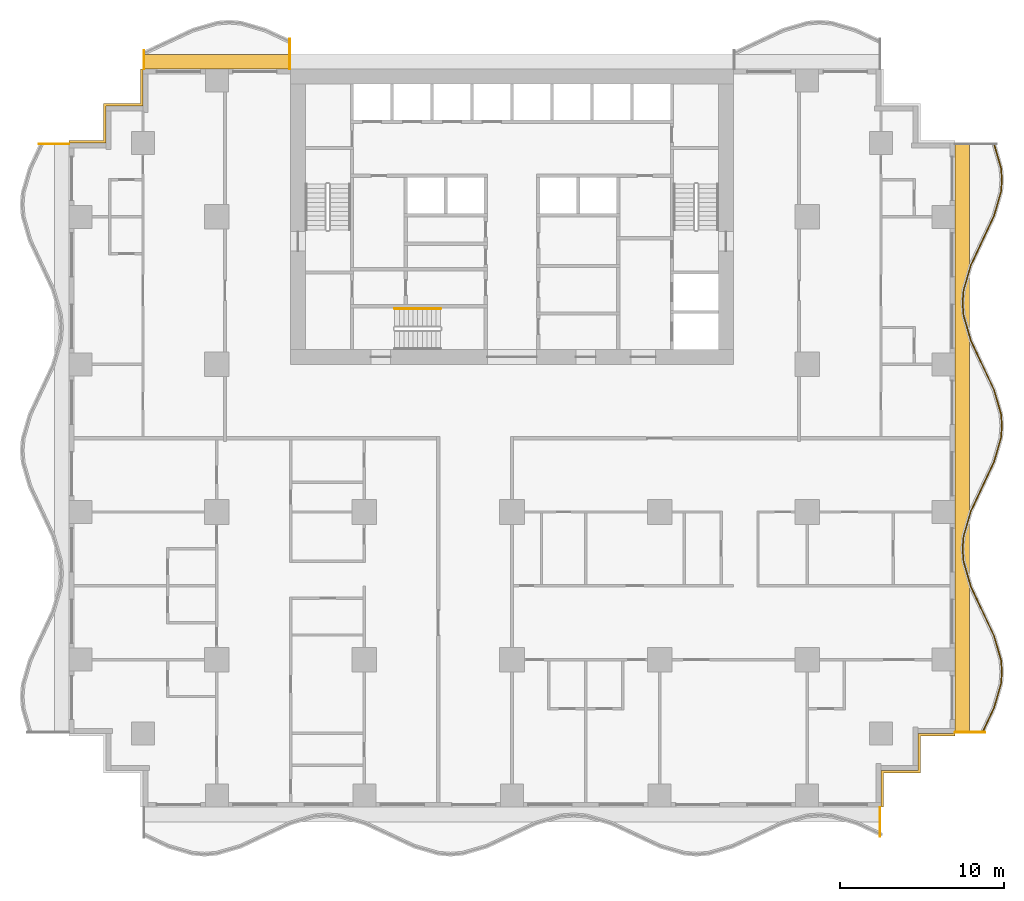
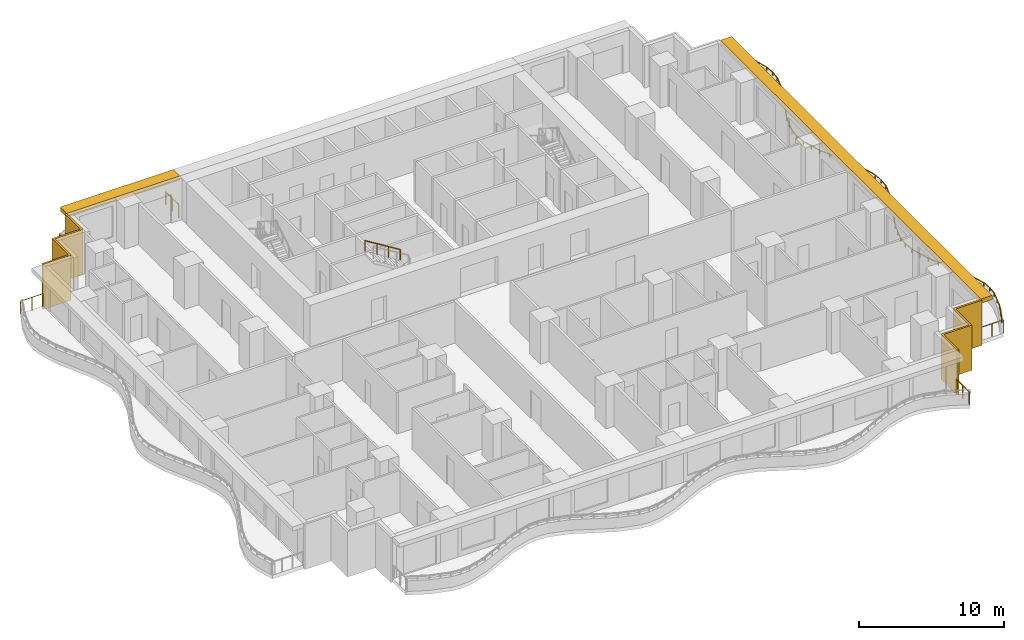
# One storey, part 11 of 14: 7 railings, 4 shading devices.
"""IFC4 building model written with IfcOpenShell, lengths in metres."""

from ifc_helpers import new_model, si_unit, direction, frame, origin, origin_2d, place, context, subcontext, project, spatial, polyline, rectangle, circle, outline, extrude, material, layer, layer_set, type_object, element, save


model = new_model("IFC4")

# Units and contexts
model_context = context("Model", 3, precision=1e-05, world=origin(), true_north=direction((0.0, 1.0)))
body_context = subcontext(model_context, "Body", "Model", "MODEL_VIEW")
ifc_project = project(units=[si_unit("LENGTHUNIT", "METRE"), si_unit("AREAUNIT", "SQUARE_METRE"), si_unit("VOLUMEUNIT", "CUBIC_METRE"), si_unit("PLANEANGLEUNIT", "RADIAN"), si_unit("MASSUNIT", "GRAM", prefix="KILO")], contexts=[model_context])

# Site, building, storey
site_placement = place(None, origin())
site = spatial("IfcSite", under=ifc_project, at=site_placement, CompositionType="ELEMENT")
building_placement = place(site_placement, origin())
building = spatial("IfcBuilding", under=site, at=building_placement, Name="Orbiselva Terraces", CompositionType="ELEMENT")
storey_placement = place(building_placement, frame((0.0, 0.0, 45.4)))
storey = spatial("IfcBuildingStorey", under=building, at=storey_placement, Name="L11", CompositionType="ELEMENT", Elevation=45.4)

# Railings
ifc_material_1 = material(Name="Stainless steel", Category="steel")
railing_type_1 = type_object("IfcRailingType", Name="CORE-HANDRAIL-900", PredefinedType="HANDRAIL", material=ifc_material_1)
railing_1_placement = place(storey_placement, frame((-4.35, 7.9, 2.072727)))
element("IfcRailing", 1, at=railing_1_placement, inside=storey, type_object=railing_type_1, Name="L11 S3 stair handrail 2", PredefinedType="HANDRAIL", context=body_context, shape_type="SweptSolid", body=[
    extrude(circle(Radius=0.024, at=origin_2d()), frame((0.0, 0.0, 0.876), z_axis=(-0.851088519012, 0.0, 0.52502222125), x_axis=(0.0, -1.0, 0.0)), (0.0, 0.0, 1.0), 3.289905),
    extrude(circle(Radius=0.021, at=origin_2d()), origin(), (0.0, 0.0, 1.0), 0.852),
    extrude(circle(Radius=0.021, at=origin_2d()), frame((-0.933333, 0.0, 0.575758)), (0.0, 0.0, 1.0), 0.852),
    extrude(circle(Radius=0.021, at=origin_2d()), frame((-1.866667, 0.0, 1.151515)), (0.0, 0.0, 1.0), 0.852),
    extrude(circle(Radius=0.021, at=origin_2d()), frame((-2.8, 0.0, 1.727273)), (0.0, 0.0, 1.0), 0.852),
])
ifc_material_2 = material(Name="Bonded two-ply safety glass balustrade, stainless steel posts", Category="steel")
railing_type_2 = type_object("IfcRailingType", Name="ENV-BALUSTRADE-1200", PredefinedType="BALUSTRADE", material=ifc_material_2)
railing_2_placement = place(storey_placement, frame((28.686882, -17.946809, 0.9)))
element("IfcRailing", 2, at=railing_2_placement, inside=storey, type_object=railing_type_2, Name="Balcony balustrade L11 E", PredefinedType="BALUSTRADE", context=body_context, shape_type="SweptSolid", body=[
    extrude(outline(polyline([(0.028868, 0.0), (0.014434, 0.025), (-0.014434, 0.025), (-0.028868, 0.0), (-0.014434, -0.025), (0.014434, -0.025), (0.028868, 0.0)])), frame((0.0, 0.0, 0.275), z_axis=(0.425529912322, 0.904944359461, 0.0), x_axis=(-0.904944359461, 0.425529912322, 0.0)), (0.0, 0.0, 1.0), 1.647746),
    extrude(outline(polyline([(0.028868, 0.0), (0.014434, 0.025), (-0.014434, 0.025), (-0.028868, 0.0), (-0.014434, -0.025), (0.014434, -0.025), (0.028868, 0.0)])), frame((0.701165, 1.491118, 0.275), z_axis=(0.279071528957, 0.960270317007, 0.0), x_axis=(-0.960270317007, 0.279071528957, 0.0)), (0.0, 0.0, 1.0), 1.539408),
    extrude(outline(polyline([(0.028868, 0.0), (0.014434, 0.025), (-0.014434, 0.025), (-0.028868, 0.0), (-0.014434, -0.025), (0.014434, -0.025), (0.028868, 0.0)])), frame((1.13077, 2.969366, 0.275), z_axis=(0.078069536776, 0.996947916106, 0.0), x_axis=(-0.996947916106, 0.078069536776, 0.0)), (0.0, 0.0, 1.0), 0.72967),
    extrude(outline(polyline([(0.028868, 0.0), (0.014434, 0.025), (-0.014434, 0.025), (-0.028868, 0.0), (-0.014434, -0.025), (0.014434, -0.025), (0.028868, 0.0)])), frame((1.187735, 3.696809, 0.275), z_axis=(-0.078069536776, 0.996947916106, 0.0), x_axis=(-0.996947916106, -0.078069536776, 0.0)), (0.0, 0.0, 1.0), 0.72967),
    extrude(outline(polyline([(0.028868, 0.0), (0.014434, 0.025), (-0.014434, 0.025), (-0.028868, 0.0), (-0.014434, -0.025), (0.014434, -0.025), (0.028868, 0.0)])), frame((1.13077, 4.424252, 0.275), z_axis=(-0.279071528957, 0.960270317007, 0.0), x_axis=(-0.960270317007, -0.279071528957, 0.0)), (0.0, 0.0, 1.0), 1.539408),
    extrude(outline(polyline([(0.028868, 0.0), (0.014434, 0.025), (-0.014434, 0.025), (-0.028868, 0.0), (-0.014434, -0.025), (0.014434, -0.025), (0.028868, 0.0)])), frame((0.701165, 5.9025, 0.275), z_axis=(-0.425529912322, 0.904944359461, 0.0), x_axis=(-0.904944359461, -0.425529912322, 0.0)), (0.0, 0.0, 1.0), 1.647746),
    extrude(outline(polyline([(0.028868, 0.0), (0.014434, 0.025), (-0.014434, 0.025), (-0.028868, 0.0), (-0.014434, -0.025), (0.014434, -0.025), (0.028868, 0.0)])), frame((0.0, 7.393618, 0.275), z_axis=(-0.425530342069, 0.904944157382, 0.0), x_axis=(-0.904944157382, -0.425530342069, 0.0)), (0.0, 0.0, 1.0), 1.667376),
    extrude(outline(polyline([(0.028868, 0.0), (0.014434, 0.025), (-0.014434, 0.025), (-0.028868, 0.0), (-0.014434, -0.025), (0.014434, -0.025), (0.028868, 0.0)])), frame((-0.709519, 8.9025, 0.275), z_axis=(-0.279070928786, 0.960270491427, 0.0), x_axis=(-0.960270491427, -0.279070928786, 0.0)), (0.0, 0.0, 1.0), 1.584712),
    extrude(outline(polyline([(0.028868, 0.0), (0.014434, 0.025), (-0.014434, 0.025), (-0.028868, 0.0), (-0.014434, -0.025), (0.014434, -0.025), (0.028868, 0.0)])), frame((-1.151766, 10.424252, 0.275), z_axis=(-0.078071061106, 0.996947796737, 0.0), x_axis=(-0.996947796737, -0.078071061106, 0.0)), (0.0, 0.0, 1.0), 0.774922),
    extrude(outline(polyline([(0.028868, 0.0), (0.014434, 0.025), (-0.014434, 0.025), (-0.028868, 0.0), (-0.014434, -0.025), (0.014434, -0.025), (0.028868, 0.0)])), frame((-1.212265, 11.196809, 0.275), z_axis=(0.078071061106, 0.996947796737, 0.0), x_axis=(-0.996947796737, 0.078071061106, 0.0)), (0.0, 0.0, 1.0), 0.774922),
    extrude(outline(polyline([(0.028868, 0.0), (0.014434, 0.025), (-0.014434, 0.025), (-0.028868, 0.0), (-0.014434, -0.025), (0.014434, -0.025), (0.028868, 0.0)])), frame((-1.151766, 11.969366, 0.275), z_axis=(0.279070928786, 0.960270491427, 0.0), x_axis=(-0.960270491427, 0.279070928786, 0.0)), (0.0, 0.0, 1.0), 1.584712),
    extrude(outline(polyline([(0.028868, 0.0), (0.014434, 0.025), (-0.014434, 0.025), (-0.028868, 0.0), (-0.014434, -0.025), (0.014434, -0.025), (0.028868, 0.0)])), frame((-0.709519, 13.491118, 0.275), z_axis=(0.425530342069, 0.904944157382, 0.0), x_axis=(-0.904944157382, 0.425530342069, 0.0)), (0.0, 0.0, 1.0), 1.667376),
    extrude(outline(polyline([(0.028868, 0.0), (0.014434, 0.025), (-0.014434, 0.025), (-0.028868, 0.0), (-0.014434, -0.025), (0.014434, -0.025), (0.028868, 0.0)])), frame((0.0, 15.0, 0.275), z_axis=(0.425529912322, 0.904944359461, 0.0), x_axis=(-0.904944359461, 0.425529912322, 0.0)), (0.0, 0.0, 1.0), 1.647746),
    extrude(outline(polyline([(0.028868, 0.0), (0.014434, 0.025), (-0.014434, 0.025), (-0.028868, 0.0), (-0.014434, -0.025), (0.014434, -0.025), (0.028868, 0.0)])), frame((0.701165, 16.491118, 0.275), z_axis=(0.279071528957, 0.960270317007, 0.0), x_axis=(-0.960270317007, 0.279071528957, 0.0)), (0.0, 0.0, 1.0), 1.539408),
    extrude(outline(polyline([(0.028868, 0.0), (0.014434, 0.025), (-0.014434, 0.025), (-0.028868, 0.0), (-0.014434, -0.025), (0.014434, -0.025), (0.028868, 0.0)])), frame((1.13077, 17.969366, 0.275), z_axis=(0.078069536776, 0.996947916106, 0.0), x_axis=(-0.996947916106, 0.078069536776, 0.0)), (0.0, 0.0, 1.0), 0.72967),
    extrude(outline(polyline([(0.028868, 0.0), (0.014434, 0.025), (-0.014434, 0.025), (-0.028868, 0.0), (-0.014434, -0.025), (0.014434, -0.025), (0.028868, 0.0)])), frame((1.187735, 18.696809, 0.275), z_axis=(-0.078069536776, 0.996947916106, 0.0), x_axis=(-0.996947916106, -0.078069536776, 0.0)), (0.0, 0.0, 1.0), 0.72967),
    extrude(outline(polyline([(0.028868, 0.0), (0.014434, 0.025), (-0.014434, 0.025), (-0.028868, 0.0), (-0.014434, -0.025), (0.014434, -0.025), (0.028868, 0.0)])), frame((1.13077, 19.424252, 0.275), z_axis=(-0.279071528957, 0.960270317007, 0.0), x_axis=(-0.960270317007, -0.279071528957, 0.0)), (0.0, 0.0, 1.0), 1.539408),
    extrude(outline(polyline([(0.028868, 0.0), (0.014434, 0.025), (-0.014434, 0.025), (-0.028868, 0.0), (-0.014434, -0.025), (0.014434, -0.025), (0.028868, 0.0)])), frame((0.701165, 20.9025, 0.275), z_axis=(-0.425529912322, 0.904944359461, 0.0), x_axis=(-0.904944359461, -0.425529912322, 0.0)), (0.0, 0.0, 1.0), 1.647746),
    extrude(outline(polyline([(0.028868, 0.0), (0.014434, 0.025), (-0.014434, 0.025), (-0.028868, 0.0), (-0.014434, -0.025), (0.014434, -0.025), (0.028868, 0.0)])), frame((0.0, 22.393618, 0.275), z_axis=(-0.425530342069, 0.904944157382, 0.0), x_axis=(-0.904944157382, -0.425530342069, 0.0)), (0.0, 0.0, 1.0), 1.667376),
    extrude(outline(polyline([(0.028868, 0.0), (0.014434, 0.025), (-0.014434, 0.025), (-0.028868, 0.0), (-0.014434, -0.025), (0.014434, -0.025), (0.028868, 0.0)])), frame((-0.709519, 23.9025, 0.275), z_axis=(-0.279070928786, 0.960270491427, 0.0), x_axis=(-0.960270491427, -0.279070928786, 0.0)), (0.0, 0.0, 1.0), 1.584712),
    extrude(outline(polyline([(0.028868, 0.0), (0.014434, 0.025), (-0.014434, 0.025), (-0.028868, 0.0), (-0.014434, -0.025), (0.014434, -0.025), (0.028868, 0.0)])), frame((-1.151766, 25.424252, 0.275), z_axis=(-0.078071061106, 0.996947796737, 0.0), x_axis=(-0.996947796737, -0.078071061106, 0.0)), (0.0, 0.0, 1.0), 0.774922),
    extrude(outline(polyline([(0.028868, 0.0), (0.014434, 0.025), (-0.014434, 0.025), (-0.028868, 0.0), (-0.014434, -0.025), (0.014434, -0.025), (0.028868, 0.0)])), frame((-1.212265, 26.196809, 0.275), z_axis=(0.078071061106, 0.996947796737, 0.0), x_axis=(-0.996947796737, 0.078071061106, 0.0)), (0.0, 0.0, 1.0), 0.774922),
    extrude(outline(polyline([(0.028868, 0.0), (0.014434, 0.025), (-0.014434, 0.025), (-0.028868, 0.0), (-0.014434, -0.025), (0.014434, -0.025), (0.028868, 0.0)])), frame((-1.151766, 26.969366, 0.275), z_axis=(0.279070928786, 0.960270491427, 0.0), x_axis=(-0.960270491427, 0.279070928786, 0.0)), (0.0, 0.0, 1.0), 1.584712),
    extrude(outline(polyline([(0.028868, 0.0), (0.014434, 0.025), (-0.014434, 0.025), (-0.028868, 0.0), (-0.014434, -0.025), (0.014434, -0.025), (0.028868, 0.0)])), frame((-0.709519, 28.491118, 0.275), z_axis=(0.425530342069, 0.904944157382, 0.0), x_axis=(-0.904944157382, 0.425530342069, 0.0)), (0.0, 0.0, 1.0), 1.667376),
    extrude(outline(polyline([(0.028868, 0.0), (0.014434, 0.025), (-0.014434, 0.025), (-0.028868, 0.0), (-0.014434, -0.025), (0.014434, -0.025), (0.028868, 0.0)])), frame((0.0, 30.0, 0.275), z_axis=(0.425529912322, 0.904944359461, 0.0), x_axis=(-0.904944359461, 0.425529912322, 0.0)), (0.0, 0.0, 1.0), 1.647746),
    extrude(outline(polyline([(0.028868, 0.0), (0.014434, 0.025), (-0.014434, 0.025), (-0.028868, 0.0), (-0.014434, -0.025), (0.014434, -0.025), (0.028868, 0.0)])), frame((0.701165, 31.491118, 0.275), z_axis=(0.279071528957, 0.960270317007, 0.0), x_axis=(-0.960270317007, 0.279071528957, 0.0)), (0.0, 0.0, 1.0), 1.539408),
    extrude(outline(polyline([(0.028868, 0.0), (0.014434, 0.025), (-0.014434, 0.025), (-0.028868, 0.0), (-0.014434, -0.025), (0.014434, -0.025), (0.028868, 0.0)])), frame((1.13077, 32.969366, 0.275), z_axis=(0.078069536776, 0.996947916106, 0.0), x_axis=(-0.996947916106, 0.078069536776, 0.0)), (0.0, 0.0, 1.0), 0.72967),
    extrude(outline(polyline([(0.028868, 0.0), (0.014434, 0.025), (-0.014434, 0.025), (-0.028868, 0.0), (-0.014434, -0.025), (0.014434, -0.025), (0.028868, 0.0)])), frame((1.187735, 33.696809, 0.275), z_axis=(-0.078069536776, 0.996947916106, 0.0), x_axis=(-0.996947916106, -0.078069536776, 0.0)), (0.0, 0.0, 1.0), 0.72967),
    extrude(outline(polyline([(0.028868, 0.0), (0.014434, 0.025), (-0.014434, 0.025), (-0.028868, 0.0), (-0.014434, -0.025), (0.014434, -0.025), (0.028868, 0.0)])), frame((1.13077, 34.424252, 0.275), z_axis=(-0.279071486336, 0.960270329394, 0.0), x_axis=(-0.960270329394, -0.279071486336, 0.0)), (0.0, 0.0, 1.0), 1.549223),
    extrude(rectangle(XDim=0.05, YDim=0.05, at=origin_2d()), origin(), (0.0, 0.0, 1.0), 0.25),
    extrude(rectangle(XDim=0.05, YDim=0.05, at=origin_2d()), frame((0.350582, 0.745559, 0.0)), (0.0, 0.0, 1.0), 0.25),
    extrude(rectangle(XDim=0.05, YDim=0.05, at=origin_2d()), frame((0.701165, 1.491118, 0.0)), (0.0, 0.0, 1.0), 0.25),
    extrude(rectangle(XDim=0.05, YDim=0.05, at=origin_2d()), frame((0.915967, 2.230242, 0.0)), (0.0, 0.0, 1.0), 0.25),
    extrude(rectangle(XDim=0.05, YDim=0.05, at=origin_2d()), frame((1.13077, 2.969366, 0.0)), (0.0, 0.0, 1.0), 0.25),
    extrude(rectangle(XDim=0.05, YDim=0.05, at=origin_2d()), frame((1.187735, 3.696809, 0.0)), (0.0, 0.0, 1.0), 0.25),
    extrude(rectangle(XDim=0.05, YDim=0.05, at=origin_2d()), frame((1.13077, 4.424252, 0.0)), (0.0, 0.0, 1.0), 0.25),
    extrude(rectangle(XDim=0.05, YDim=0.05, at=origin_2d()), frame((0.915967, 5.163376, 0.0)), (0.0, 0.0, 1.0), 0.25),
    extrude(rectangle(XDim=0.05, YDim=0.05, at=origin_2d()), frame((0.701165, 5.9025, 0.0)), (0.0, 0.0, 1.0), 0.25),
    extrude(rectangle(XDim=0.05, YDim=0.05, at=origin_2d()), frame((0.350582, 6.648059, 0.0)), (0.0, 0.0, 1.0), 0.25),
    extrude(rectangle(XDim=0.05, YDim=0.05, at=origin_2d()), frame((0.0, 7.393618, 0.0)), (0.0, 0.0, 1.0), 0.25),
    extrude(rectangle(XDim=0.05, YDim=0.05, at=origin_2d()), frame((-0.35476, 8.148059, 0.0)), (0.0, 0.0, 1.0), 0.25),
    extrude(rectangle(XDim=0.05, YDim=0.05, at=origin_2d()), frame((-0.709519, 8.9025, 0.0)), (0.0, 0.0, 1.0), 0.25),
    extrude(rectangle(XDim=0.05, YDim=0.05, at=origin_2d()), frame((-0.930643, 9.663376, 0.0)), (0.0, 0.0, 1.0), 0.25),
    extrude(rectangle(XDim=0.05, YDim=0.05, at=origin_2d()), frame((-1.151766, 10.424252, 0.0)), (0.0, 0.0, 1.0), 0.25),
    extrude(rectangle(XDim=0.05, YDim=0.05, at=origin_2d()), frame((-1.212265, 11.196809, 0.0)), (0.0, 0.0, 1.0), 0.25),
    extrude(rectangle(XDim=0.05, YDim=0.05, at=origin_2d()), frame((-1.151766, 11.969366, 0.0)), (0.0, 0.0, 1.0), 0.25),
    extrude(rectangle(XDim=0.05, YDim=0.05, at=origin_2d()), frame((-0.930643, 12.730242, 0.0)), (0.0, 0.0, 1.0), 0.25),
    extrude(rectangle(XDim=0.05, YDim=0.05, at=origin_2d()), frame((-0.709519, 13.491118, 0.0)), (0.0, 0.0, 1.0), 0.25),
    extrude(rectangle(XDim=0.05, YDim=0.05, at=origin_2d()), frame((-0.35476, 14.245559, 0.0)), (0.0, 0.0, 1.0), 0.25),
    extrude(rectangle(XDim=0.05, YDim=0.05, at=origin_2d()), frame((0.0, 15.0, 0.0)), (0.0, 0.0, 1.0), 0.25),
    extrude(rectangle(XDim=0.05, YDim=0.05, at=origin_2d()), frame((0.350582, 15.745559, 0.0)), (0.0, 0.0, 1.0), 0.25),
    extrude(rectangle(XDim=0.05, YDim=0.05, at=origin_2d()), frame((0.701165, 16.491118, 0.0)), (0.0, 0.0, 1.0), 0.25),
    extrude(rectangle(XDim=0.05, YDim=0.05, at=origin_2d()), frame((0.915967, 17.230242, 0.0)), (0.0, 0.0, 1.0), 0.25),
    extrude(rectangle(XDim=0.05, YDim=0.05, at=origin_2d()), frame((1.13077, 17.969366, 0.0)), (0.0, 0.0, 1.0), 0.25),
    extrude(rectangle(XDim=0.05, YDim=0.05, at=origin_2d()), frame((1.187735, 18.696809, 0.0)), (0.0, 0.0, 1.0), 0.25),
    extrude(rectangle(XDim=0.05, YDim=0.05, at=origin_2d()), frame((1.13077, 19.424252, 0.0)), (0.0, 0.0, 1.0), 0.25),
    extrude(rectangle(XDim=0.05, YDim=0.05, at=origin_2d()), frame((0.915967, 20.163376, 0.0)), (0.0, 0.0, 1.0), 0.25),
    extrude(rectangle(XDim=0.05, YDim=0.05, at=origin_2d()), frame((0.701165, 20.9025, 0.0)), (0.0, 0.0, 1.0), 0.25),
    extrude(rectangle(XDim=0.05, YDim=0.05, at=origin_2d()), frame((0.350582, 21.648059, 0.0)), (0.0, 0.0, 1.0), 0.25),
    extrude(rectangle(XDim=0.05, YDim=0.05, at=origin_2d()), frame((0.0, 22.393618, 0.0)), (0.0, 0.0, 1.0), 0.25),
    extrude(rectangle(XDim=0.05, YDim=0.05, at=origin_2d()), frame((-0.35476, 23.148059, 0.0)), (0.0, 0.0, 1.0), 0.25),
    extrude(rectangle(XDim=0.05, YDim=0.05, at=origin_2d()), frame((-0.709519, 23.9025, 0.0)), (0.0, 0.0, 1.0), 0.25),
    extrude(rectangle(XDim=0.05, YDim=0.05, at=origin_2d()), frame((-0.930643, 24.663376, 0.0)), (0.0, 0.0, 1.0), 0.25),
    extrude(rectangle(XDim=0.05, YDim=0.05, at=origin_2d()), frame((-1.151766, 25.424252, 0.0)), (0.0, 0.0, 1.0), 0.25),
    extrude(rectangle(XDim=0.05, YDim=0.05, at=origin_2d()), frame((-1.212265, 26.196809, 0.0)), (0.0, 0.0, 1.0), 0.25),
    extrude(rectangle(XDim=0.05, YDim=0.05, at=origin_2d()), frame((-1.151766, 26.969366, 0.0)), (0.0, 0.0, 1.0), 0.25),
    extrude(rectangle(XDim=0.05, YDim=0.05, at=origin_2d()), frame((-0.930643, 27.730242, 0.0)), (0.0, 0.0, 1.0), 0.25),
    extrude(rectangle(XDim=0.05, YDim=0.05, at=origin_2d()), frame((-0.709519, 28.491118, 0.0)), (0.0, 0.0, 1.0), 0.25),
    extrude(rectangle(XDim=0.05, YDim=0.05, at=origin_2d()), frame((-0.35476, 29.245559, 0.0)), (0.0, 0.0, 1.0), 0.25),
    extrude(rectangle(XDim=0.05, YDim=0.05, at=origin_2d()), frame((0.0, 30.0, 0.0)), (0.0, 0.0, 1.0), 0.25),
    extrude(rectangle(XDim=0.05, YDim=0.05, at=origin_2d()), frame((0.350582, 30.745559, 0.0)), (0.0, 0.0, 1.0), 0.25),
    extrude(rectangle(XDim=0.05, YDim=0.05, at=origin_2d()), frame((0.701165, 31.491118, 0.0)), (0.0, 0.0, 1.0), 0.25),
    extrude(rectangle(XDim=0.05, YDim=0.05, at=origin_2d()), frame((0.915967, 32.230242, 0.0)), (0.0, 0.0, 1.0), 0.25),
    extrude(rectangle(XDim=0.05, YDim=0.05, at=origin_2d()), frame((1.13077, 32.969366, 0.0)), (0.0, 0.0, 1.0), 0.25),
    extrude(rectangle(XDim=0.05, YDim=0.05, at=origin_2d()), frame((1.187735, 33.696809, 0.0)), (0.0, 0.0, 1.0), 0.25),
    extrude(rectangle(XDim=0.05, YDim=0.05, at=origin_2d()), frame((1.13077, 34.424252, 0.0)), (0.0, 0.0, 1.0), 0.25),
    extrude(rectangle(XDim=0.05, YDim=0.05, at=origin_2d()), frame((0.914598, 35.168088, 0.0)), (0.0, 0.0, 1.0), 0.25),
    extrude(rectangle(XDim=0.05, YDim=0.05, at=origin_2d()), frame((0.698426, 35.911925, 0.0)), (0.0, 0.0, 1.0), 0.25),
])
ifc_material_3 = material(Name="Stainless steel rail and posts", Category="steel")
railing_type_3 = type_object("IfcRailingType", Name="ENV-GUARD-1105", PredefinedType="BALUSTRADE", material=ifc_material_3)
railing_3_placement = place(storey_placement, frame((22.44, -24.269844, 0.0)))
element("IfcRailing", 3, at=railing_3_placement, inside=storey, type_object=railing_type_3, Name="Balcony end guard L11 S", PredefinedType="BALUSTRADE", context=body_context, shape_type="SweptSolid", body=[
    extrude(outline(polyline([(0.028868, 0.0), (0.014434, 0.025), (-0.014434, 0.025), (-0.028868, 0.0), (-0.014434, -0.025), (0.014434, -0.025), (0.028868, 0.0)])), frame((0.0, 0.0, 1.08), z_axis=(0.0, 1.0, 0.0), x_axis=(-1.0, 0.0, 0.0)), (0.0, 0.0, 1.0), 1.744844),
    extrude(rectangle(XDim=0.05, YDim=0.05, at=origin_2d()), origin(), (0.0, 0.0, 1.0), 1.055),
    extrude(rectangle(XDim=0.05, YDim=0.05, at=origin_2d()), frame((0.0, 0.872422, 0.0)), (0.0, 0.0, 1.0), 1.055),
    extrude(rectangle(XDim=0.05, YDim=0.05, at=origin_2d()), frame((0.0, 1.744844, 0.0)), (0.0, 0.0, 1.0), 1.055),
])
railing_4_placement = place(storey_placement, frame((28.830156, -17.94, 0.0)))
element("IfcRailing", 4, at=railing_4_placement, inside=storey, type_object=railing_type_3, Name="Balcony end guard L11 E", PredefinedType="BALUSTRADE", context=body_context, shape_type="SweptSolid", body=[
    extrude(outline(polyline([(0.028868, 0.0), (0.014434, 0.025), (-0.014434, 0.025), (-0.028868, 0.0), (-0.014434, -0.025), (0.014434, -0.025), (0.028868, 0.0)])), frame((0.0, 0.0, 1.08), z_axis=(-1.0, 0.0, 0.0), x_axis=(0.0, -1.0, 0.0)), (0.0, 0.0, 1.0), 1.805156),
    extrude(rectangle(XDim=0.05, YDim=0.05, at=origin_2d()), origin(), (0.0, 0.0, 1.0), 1.055),
    extrude(rectangle(XDim=0.05, YDim=0.05, at=origin_2d()), frame((-0.902578, 0.0, 0.0)), (0.0, 0.0, 1.0), 1.055),
    extrude(rectangle(XDim=0.05, YDim=0.05, at=origin_2d()), frame((-1.805156, 0.0, 0.0)), (0.0, 0.0, 1.0), 1.055),
])
railing_5_placement = place(storey_placement, frame((-13.56, 24.330156, 0.0)))
element("IfcRailing", 5, at=railing_5_placement, inside=storey, type_object=railing_type_3, Name="Balcony end guard L11 NW", PredefinedType="BALUSTRADE", context=body_context, shape_type="SweptSolid", body=[
    extrude(outline(polyline([(0.028868, 0.0), (0.014434, 0.025), (-0.014434, 0.025), (-0.028868, 0.0), (-0.014434, -0.025), (0.014434, -0.025), (0.028868, 0.0)])), frame((0.0, 0.0, 1.08), z_axis=(0.0, -1.0, 0.0), x_axis=(1.0, 0.0, 0.0)), (0.0, 0.0, 1.0), 1.805156),
    extrude(rectangle(XDim=0.05, YDim=0.05, at=origin_2d()), origin(), (0.0, 0.0, 1.0), 1.055),
    extrude(rectangle(XDim=0.05, YDim=0.05, at=origin_2d()), frame((0.0, -0.902578, 0.0)), (0.0, 0.0, 1.0), 1.055),
    extrude(rectangle(XDim=0.05, YDim=0.05, at=origin_2d()), frame((0.0, -1.805156, 0.0)), (0.0, 0.0, 1.0), 1.055),
])
railing_6_placement = place(storey_placement, frame((-22.44, 23.619277, 0.0)))
element("IfcRailing", 6, at=railing_6_placement, inside=storey, type_object=railing_type_3, Name="Balcony end guard L11 NW", PredefinedType="BALUSTRADE", context=body_context, shape_type="SweptSolid", body=[
    extrude(outline(polyline([(0.028868, 0.0), (0.014434, 0.025), (-0.014434, 0.025), (-0.028868, 0.0), (-0.014434, -0.025), (0.014434, -0.025), (0.028868, 0.0)])), frame((0.0, 0.0, 1.08), z_axis=(0.0, -1.0, 0.0), x_axis=(1.0, 0.0, 0.0)), (0.0, 0.0, 1.0), 1.094277),
    extrude(rectangle(XDim=0.05, YDim=0.05, at=origin_2d()), origin(), (0.0, 0.0, 1.0), 1.055),
    extrude(rectangle(XDim=0.05, YDim=0.05, at=origin_2d()), frame((0.0, -1.094277, 0.0)), (0.0, 0.0, 1.0), 1.055),
])
railing_7_placement = place(storey_placement, frame((-28.830156, 17.94, 0.0)))
element("IfcRailing", 7, at=railing_7_placement, inside=storey, type_object=railing_type_3, Name="Balcony end guard L11 W", PredefinedType="BALUSTRADE", context=body_context, shape_type="SweptSolid", body=[
    extrude(outline(polyline([(0.028868, 0.0), (0.014434, 0.025), (-0.014434, 0.025), (-0.028868, 0.0), (-0.014434, -0.025), (0.014434, -0.025), (0.028868, 0.0)])), frame((0.0, 0.0, 1.08), z_axis=(1.0, 0.0, 0.0), x_axis=(0.0, 1.0, 0.0)), (0.0, 0.0, 1.0), 1.805156),
    extrude(rectangle(XDim=0.05, YDim=0.05, at=origin_2d()), origin(), (0.0, 0.0, 1.0), 1.055),
    extrude(rectangle(XDim=0.05, YDim=0.05, at=origin_2d()), frame((0.902578, 0.0, 0.0)), (0.0, 0.0, 1.0), 1.055),
    extrude(rectangle(XDim=0.05, YDim=0.05, at=origin_2d()), frame((1.805156, 0.0, 0.0)), (0.0, 0.0, 1.0), 1.055),
])

# Shading devices
ifc_material_4 = material(Name="Terracotta louvre screen", Category="masonry")
ifc_layer_1 = layer(ifc_material_4, 0.15)
ifc_layer_set_1 = layer_set([ifc_layer_1], Name="Terracotta louvre screen")
shading_device_type_1 = type_object("IfcShadingDeviceType", Name="ENV-SCREEN-150", PredefinedType="USERDEFINED", material=ifc_layer_set_1)
shading_device_1_placement = place(storey_placement, frame((0.0, 0.0, -0.3)))
element("IfcShadingDevice", 8, at=shading_device_1_placement, inside=storey, type_object=shading_device_type_1, Name="Louvre screen L11 NW", ObjectType="SCREEN", PredefinedType="USERDEFINED", context=body_context, shape_type="SweptSolid", body=[
    extrude(outline(polyline([(-22.65, 22.5), (-22.65, 20.4), (-24.9, 20.4), (-24.9, 18.15), (-27.0, 18.15), (-27.0, 18.0), (-24.75, 18.0), (-24.75, 20.25), (-22.5, 20.25), (-22.5, 22.5), (-22.65, 22.5)])), origin(), (0.0, 0.0, 1.0), 3.8),
])
shading_device_2_placement = place(storey_placement, frame((0.0, 0.0, -0.3)))
element("IfcShadingDevice", 9, at=shading_device_2_placement, inside=storey, type_object=shading_device_type_1, Name="Louvre screen L11 SE", ObjectType="SCREEN", PredefinedType="USERDEFINED", context=body_context, shape_type="SweptSolid", body=[
    extrude(outline(polyline([(22.65, -22.5), (22.65, -20.4), (24.9, -20.4), (24.9, -18.15), (27.0, -18.15), (27.0, -18.0), (24.75, -18.0), (24.75, -20.25), (22.5, -20.25), (22.5, -22.5), (22.65, -22.5)])), origin(), (0.0, 0.0, 1.0), 3.8),
])
ifc_material_5 = material(Name="Terracotta baguette sunshade", Category="masonry")
ifc_layer_2 = layer(ifc_material_5, 0.35)
ifc_layer_set_2 = layer_set([ifc_layer_2], Name="Terracotta baguette sunshade")
shading_device_type_2 = type_object("IfcShadingDeviceType", Name="ENV-SUNSHADE-900x350", PredefinedType="USERDEFINED", material=ifc_layer_set_2)
shading_device_3_placement = place(storey_placement, frame((0.0, 0.0, 3.15)))
element("IfcShadingDevice", 10, at=shading_device_3_placement, inside=storey, type_object=shading_device_type_2, Name="Sunshade band L11 E", ObjectType="SUNSHADE", PredefinedType="USERDEFINED", context=body_context, shape_type="SweptSolid", body=[
    extrude(outline(polyline([(27.9, -18.0), (27.9, 18.0), (27.0, 18.0), (27.0, -18.0), (27.9, -18.0)])), origin(), (0.0, 0.0, 1.0), 0.35),
])
shading_device_4_placement = place(storey_placement, frame((0.0, 0.0, 3.15)))
element("IfcShadingDevice", 11, at=shading_device_4_placement, inside=storey, type_object=shading_device_type_2, Name="Sunshade band L11 NW", ObjectType="SUNSHADE", PredefinedType="USERDEFINED", context=body_context, shape_type="SweptSolid", body=[
    extrude(outline(polyline([(-13.5, 23.4), (-22.5, 23.4), (-22.5, 22.5), (-13.5, 22.5), (-13.5, 23.4)])), origin(), (0.0, 0.0, 1.0), 0.35),
])

save(model, "model.ifc")
